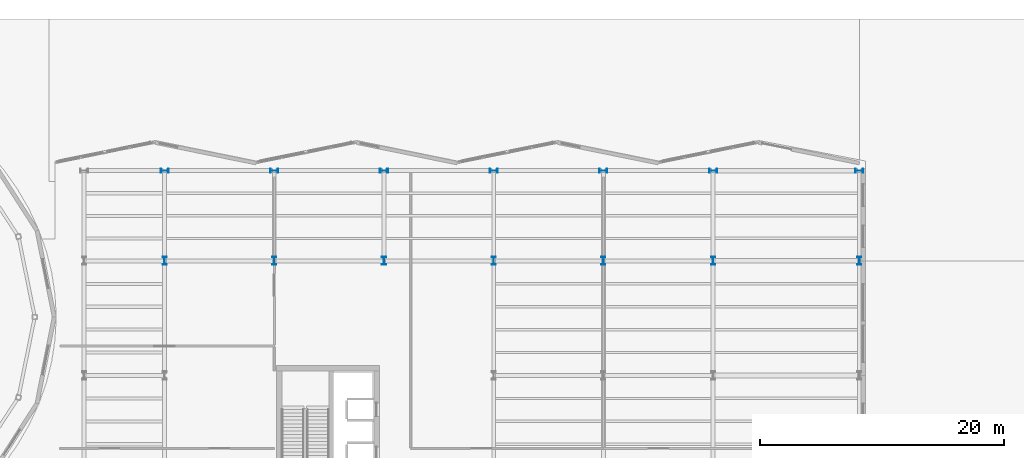
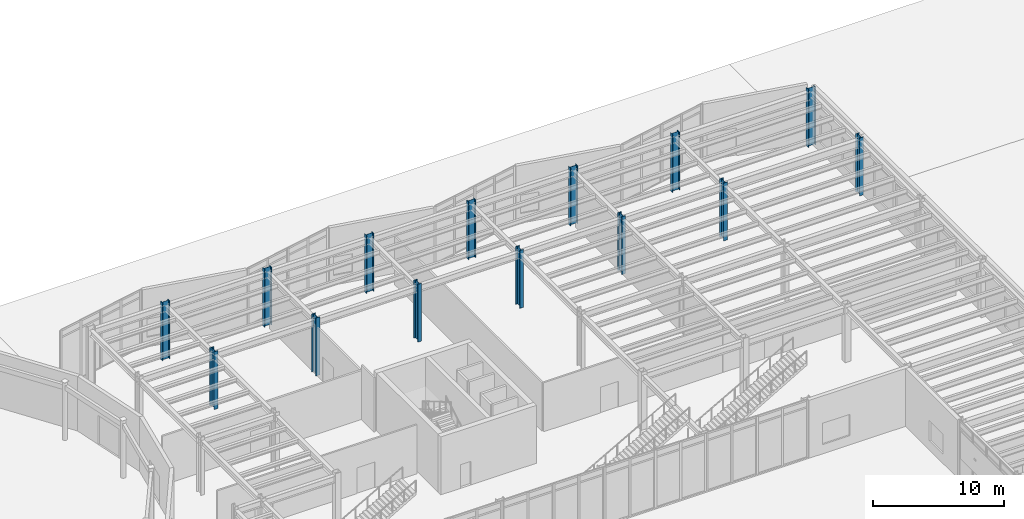
# One storey, part 13 of 94: 14 columns.
"""IFC4 building model written with IfcOpenShell, lengths in metres."""

from ifc_helpers import new_model, si_unit, direction, frame, origin, origin_2d, place, context, subcontext, project, spatial, i_section, extrude, material, material_profile, profile_set, type_object, element, save


model = new_model("IFC4")

# Units and contexts
model_context = context("Model", 3, precision=1e-05, world=origin(), true_north=direction((0.0, 1.0)))
body_context = subcontext(model_context, "Body", "Model", "MODEL_VIEW")
ifc_project = project(units=[si_unit("LENGTHUNIT", "METRE"), si_unit("AREAUNIT", "SQUARE_METRE"), si_unit("VOLUMEUNIT", "CUBIC_METRE"), si_unit("PLANEANGLEUNIT", "RADIAN"), si_unit("MASSUNIT", "GRAM", prefix="KILO")], contexts=[model_context])

# Site, building, storey
site_placement = place(None, origin())
site = spatial("IfcSite", under=ifc_project, at=site_placement, CompositionType="ELEMENT")
building_placement = place(site_placement, origin())
building = spatial("IfcBuilding", under=site, at=building_placement, Name="Sollismere Congress Hotel", CompositionType="ELEMENT")
storey_placement = place(building_placement, origin())
storey = spatial("IfcBuildingStorey", under=building, at=storey_placement, Name="L00", CompositionType="ELEMENT", Elevation=0.0)

# Columns
ifc_material = material(Name="Steel ASTM A992 Grade 50", Category="steel")
ifc_material_profile = material_profile(ifc_material, i_section(OverallWidth=0.3330078125, OverallDepth=0.659912109375, WebThickness=0.0244140625, FlangeThickness=0.0439453125, at=origin_2d()), Name="W24X229")
ifc_profile_set = profile_set([ifc_material_profile], Name="Steel ASTM A992 Grade 50")
column_type = type_object("IfcColumnType", Name="COL-W24", PredefinedType="COLUMN", material=ifc_profile_set)
for number, where, z_axis, x_axis, name in (
    (1, (67.0, 95.0, 0.0), (0.0, 0.0, 1.0), (1.0, 0.0, 0.0), "Column CL-L00-333"),
    (2, (76.0, 95.0, 0.0), (0.0, 0.0, 1.0), (1.0, 0.0, 0.0), "Column CL-L00-385"),
    (3, (85.0, 95.0, 0.0), (0.0, 0.0, 1.0), (1.0, 0.0, 0.0), "Column CL-L00-444"),
    (4, (94.0, 95.0, 0.0), (0.0, 0.0, 1.0), (1.0, 0.0, 0.0), "Column CL-L00-502"),
    (5, (103.0, 95.0, 0.0), (0.0, 0.0, 1.0), (1.0, 0.0, 0.0), "Column CL-L00-560"),
    (6, (112.0, 95.0, 0.0), (0.0, 0.0, 1.0), (1.0, 0.0, 0.0), "Column CL-L00-638"),
    (7, (124.0, 95.0, 0.0), (0.0, 0.0, 1.0), (1.0, 0.0, 0.0), "Column CL-L00-720"),
    (8, (67.0, 102.39990234375, 0.0), (0.0, 0.0, 1.0), (0.0, 1.0, 0.0), "Column CL-L00-1088"),
    (9, (76.0, 102.39990234375, 0.0), (0.0, 0.0, 1.0), (0.0, 1.0, 0.0), "Column CL-L00-1094"),
    (10, (85.0, 102.39990234375, 0.0), (0.0, 0.0, 1.0), (0.0, 1.0, 0.0), "Column CL-L00-1100"),
    (11, (94.0, 102.39990234375, 0.0), (0.0, 0.0, 1.0), (0.0, 1.0, 0.0), "Column CL-L00-1106"),
    (12, (103.0, 102.39990234375, 0.0), (0.0, 0.0, 1.0), (0.0, 1.0, 0.0), "Column CL-L00-1112"),
    (13, (112.0, 102.39990234375, 0.0), (0.0, 0.0, 1.0), (0.0, 1.0, 0.0), "Column CL-L00-1118"),
    (14, (124.0, 102.39990234375, 0.0), (0.0, 0.0, 1.0), (0.0, 1.0, 0.0), "Column CL-L00-1124"),
):
    element("IfcColumn", number, at=place(storey_placement, frame(where, z_axis=z_axis, x_axis=x_axis)), inside=storey, type_object=column_type, Name=name, PredefinedType="COLUMN", context=body_context, shape_type="SweptSolid", body=[
        extrude(i_section(OverallWidth=0.3330078125, OverallDepth=0.659912109375, WebThickness=0.0244140625, FlangeThickness=0.0439453125, at=origin_2d()), origin(), (0.0, 0.0, 1.0), 5.39990234375),
    ])

save(model, "model.ifc")
